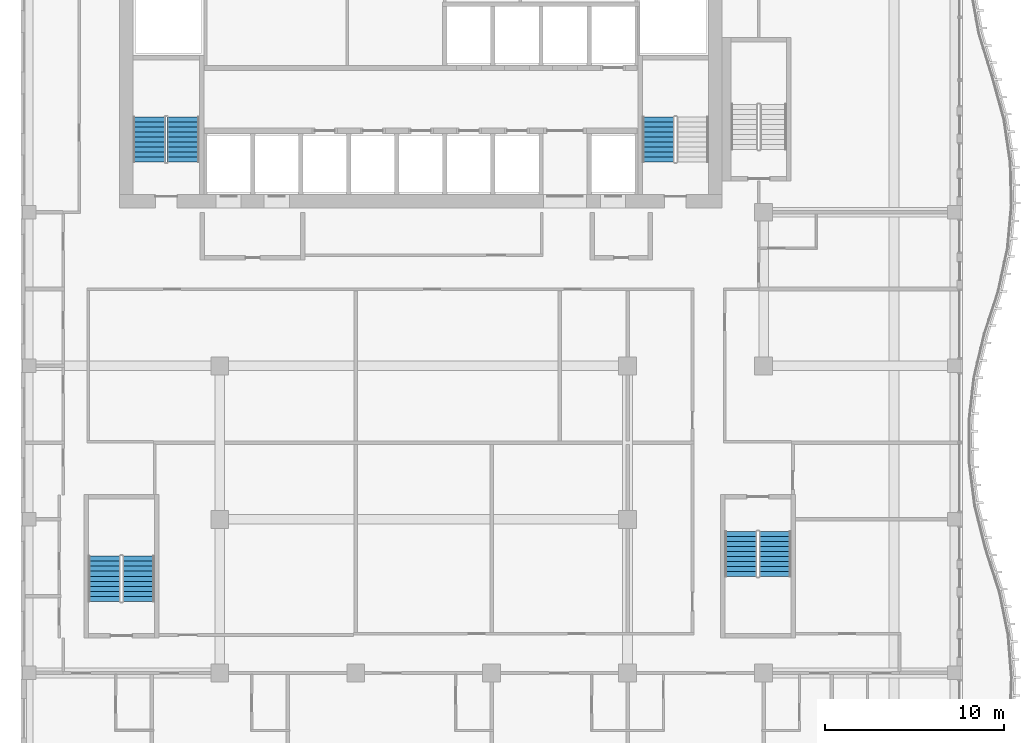
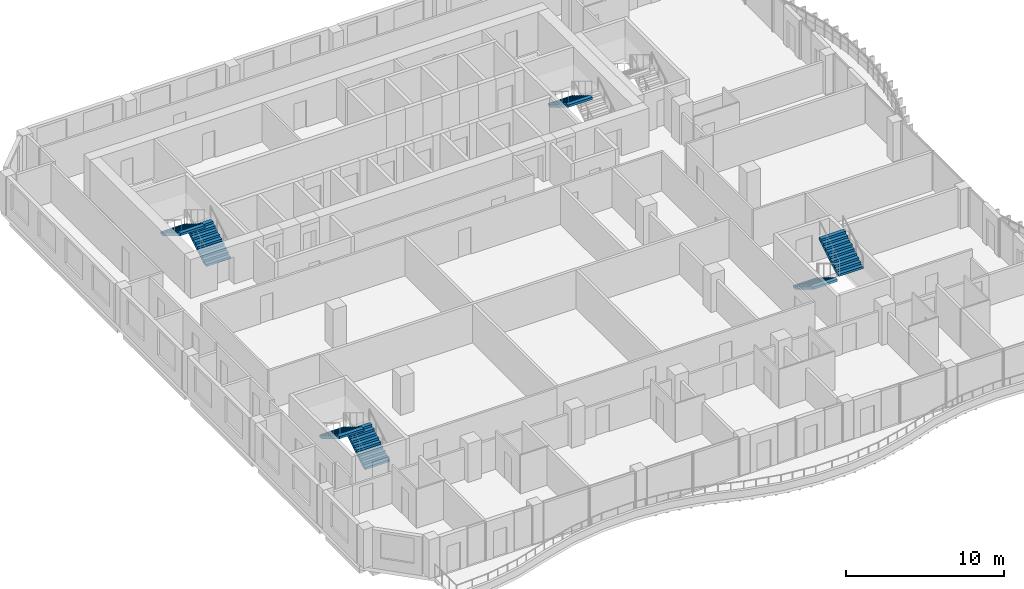
# One storey, part 17 of 22: 7 stair flights, 4 elements without a shape of their own.
"""IFC4 building model written with IfcOpenShell, lengths in metres."""

from ifc_helpers import new_model, si_unit, direction, frame, origin, place, context, subcontext, project, spatial, triangles, source, transform, mapped, material, type_object, element, aggregate, save


model = new_model("IFC4")

# Units and contexts
model_context = context("Model", 3, precision=1e-05, world=origin(), true_north=direction((0.0, 1.0)))
body_context = subcontext(model_context, "Body", "Model", "MODEL_VIEW")
ifc_project = project(units=[si_unit("LENGTHUNIT", "METRE"), si_unit("AREAUNIT", "SQUARE_METRE"), si_unit("VOLUMEUNIT", "CUBIC_METRE"), si_unit("PLANEANGLEUNIT", "RADIAN"), si_unit("MASSUNIT", "GRAM", prefix="KILO")], contexts=[model_context])

# Site, building, storey
site_placement = place(None, origin())
site = spatial("IfcSite", under=ifc_project, at=site_placement, CompositionType="ELEMENT")
building_placement = place(site_placement, origin())
building = spatial("IfcBuilding", under=site, at=building_placement, Name="Kilnfold Tower and Market Hall", CompositionType="ELEMENT")
storey_placement = place(building_placement, frame((0.0, 0.0, 220.300048828125)))
storey = spatial("IfcBuildingStorey", under=building, at=storey_placement, Name="L54", CompositionType="ELEMENT", Elevation=220.300048828125)

# Stair, stair flights
ifc_material_1 = material(Name="Concrete C40/50", Category="concrete")
stair_type = type_object("IfcStairType", Name="CORE STAIR 1800", PredefinedType="HALF_TURN_STAIR", material=ifc_material_1)
stair_1_placement = place(storey_placement, origin())
stair_1 = element("IfcStair", 1, at=stair_1_placement, inside=storey, type_object=stair_type, Name="L54 ST1", PredefinedType="HALF_TURN_STAIR")
ifc_material_2 = material(Name="Concrete C40/50", Category="concrete")
stair_flight_type = type_object("IfcStairFlightType", Name="CORE STAIR FLIGHT 1800", PredefinedType="STRAIGHT", material=ifc_material_2)
shared_shape = source(origin(), body_context, "Body", "Tessellation", [
    triangles([(0.0, 0.89990234375, 0.0), (0.0, 0.78759765625, 0.0), (0.0, 0.675048828125, 0.0), (0.0, 0.5625, 0.0), (0.0, 0.449951171875, 0.0), (0.0, 0.33740234375, 0.0), (0.0, 0.22509765625, 0.0), (0.0, 0.112548828125, 0.0), (0.0, 0.0, 0.0), (0.0, -0.112548828125, 0.0), (0.0, -0.22509765625, 0.0), (0.0, -0.33740234375, 0.0), (0.0, -0.449951171875, 0.0), (0.0, -0.5625, 0.0), (0.0, -0.675048828125, 0.0), (0.0, -0.78759765625, 0.0), (0.0, -0.89990234375, 0.0), (0.0, 0.89990234375, 0.169921875), (0.0, 0.78759765625, 0.169921875), (0.0, 0.675048828125, 0.169921875), (0.0, 0.5625, 0.169921875), (0.0, 0.449951171875, 0.169921875), (0.0, 0.33740234375, 0.169921875), (0.0, 0.22509765625, 0.169921875), (0.0, 0.112548828125, 0.169921875), (0.0, 0.0, 0.169921875), (0.0, -0.112548828125, 0.169921875), (0.0, -0.22509765625, 0.169921875), (0.0, -0.33740234375, 0.169921875), (0.0, -0.449951171875, 0.169921875), (0.0, -0.5625, 0.169921875), (0.0, -0.675048828125, 0.169921875), (0.0, -0.78759765625, 0.169921875), (0.0, -0.89990234375, 0.169921875), (0.280029296875, 0.89990234375, 0.169921875), (0.280029296875, 0.78759765625, 0.169921875), (0.280029296875, 0.675048828125, 0.169921875), (0.280029296875, 0.5625, 0.169921875), (0.280029296875, 0.449951171875, 0.169921875), (0.280029296875, 0.33740234375, 0.169921875), (0.280029296875, 0.22509765625, 0.169921875), (0.280029296875, 0.112548828125, 0.169921875), (0.280029296875, 0.0, 0.169921875), (0.280029296875, -0.112548828125, 0.169921875), (0.280029296875, -0.22509765625, 0.169921875), (0.280029296875, -0.33740234375, 0.169921875), (0.280029296875, -0.449951171875, 0.169921875), (0.280029296875, -0.5625, 0.169921875), (0.280029296875, -0.675048828125, 0.169921875), (0.280029296875, -0.78759765625, 0.169921875), (0.280029296875, -0.89990234375, 0.169921875), (0.280029296875, 0.89990234375, 0.340087890625), (0.280029296875, 0.78759765625, 0.340087890625), (0.280029296875, 0.675048828125, 0.340087890625), (0.280029296875, 0.5625, 0.340087890625), (0.280029296875, 0.449951171875, 0.340087890625), (0.280029296875, 0.33740234375, 0.340087890625), (0.280029296875, 0.22509765625, 0.340087890625), (0.280029296875, 0.112548828125, 0.340087890625), (0.280029296875, 0.0, 0.340087890625), (0.280029296875, -0.112548828125, 0.340087890625), (0.280029296875, -0.22509765625, 0.340087890625), (0.280029296875, -0.33740234375, 0.340087890625), (0.280029296875, -0.449951171875, 0.340087890625), (0.280029296875, -0.5625, 0.340087890625), (0.280029296875, -0.675048828125, 0.340087890625), (0.280029296875, -0.78759765625, 0.340087890625), (0.280029296875, -0.89990234375, 0.340087890625), (0.56005859375, 0.89990234375, 0.340087890625), (0.56005859375, 0.78759765625, 0.340087890625), (0.56005859375, 0.675048828125, 0.340087890625), (0.56005859375, 0.5625, 0.340087890625), (0.56005859375, 0.449951171875, 0.340087890625), (0.56005859375, 0.33740234375, 0.340087890625), (0.56005859375, 0.22509765625, 0.340087890625), (0.56005859375, 0.112548828125, 0.340087890625), (0.56005859375, 0.0, 0.340087890625), (0.56005859375, -0.112548828125, 0.340087890625), (0.56005859375, -0.22509765625, 0.340087890625), (0.56005859375, -0.33740234375, 0.340087890625), (0.56005859375, -0.449951171875, 0.340087890625), (0.56005859375, -0.5625, 0.340087890625), (0.56005859375, -0.675048828125, 0.340087890625), (0.56005859375, -0.78759765625, 0.340087890625), (0.56005859375, -0.89990234375, 0.340087890625), (0.56005859375, 0.89990234375, 0.510009765625), (0.56005859375, 0.78759765625, 0.510009765625), (0.56005859375, 0.675048828125, 0.510009765625), (0.56005859375, 0.5625, 0.510009765625), (0.56005859375, 0.449951171875, 0.510009765625), (0.56005859375, 0.33740234375, 0.510009765625), (0.56005859375, 0.22509765625, 0.510009765625), (0.56005859375, 0.112548828125, 0.510009765625), (0.56005859375, 0.0, 0.510009765625), (0.56005859375, -0.112548828125, 0.510009765625), (0.56005859375, -0.22509765625, 0.510009765625), (0.56005859375, -0.33740234375, 0.510009765625), (0.56005859375, -0.449951171875, 0.510009765625), (0.56005859375, -0.5625, 0.510009765625), (0.56005859375, -0.675048828125, 0.510009765625), (0.56005859375, -0.78759765625, 0.510009765625), (0.56005859375, -0.89990234375, 0.510009765625), (0.840087890625, 0.89990234375, 0.510009765625), (0.840087890625, 0.78759765625, 0.510009765625), (0.840087890625, 0.675048828125, 0.510009765625), (0.840087890625, 0.5625, 0.510009765625), (0.840087890625, 0.449951171875, 0.510009765625), (0.840087890625, 0.33740234375, 0.510009765625), (0.840087890625, 0.22509765625, 0.510009765625), (0.840087890625, 0.112548828125, 0.510009765625), (0.840087890625, 0.0, 0.510009765625), (0.840087890625, -0.112548828125, 0.510009765625), (0.840087890625, -0.22509765625, 0.510009765625), (0.840087890625, -0.33740234375, 0.510009765625), (0.840087890625, -0.449951171875, 0.510009765625), (0.840087890625, -0.5625, 0.510009765625), (0.840087890625, -0.675048828125, 0.510009765625), (0.840087890625, -0.78759765625, 0.510009765625), (0.840087890625, -0.89990234375, 0.510009765625), (0.840087890625, 0.89990234375, 0.679931640625), (0.840087890625, 0.78759765625, 0.679931640625), (0.840087890625, 0.675048828125, 0.679931640625), (0.840087890625, 0.5625, 0.679931640625), (0.840087890625, 0.449951171875, 0.679931640625), (0.840087890625, 0.33740234375, 0.679931640625), (0.840087890625, 0.22509765625, 0.679931640625), (0.840087890625, 0.112548828125, 0.679931640625), (0.840087890625, 0.0, 0.679931640625), (0.840087890625, -0.112548828125, 0.679931640625), (0.840087890625, -0.22509765625, 0.679931640625), (0.840087890625, -0.33740234375, 0.679931640625), (0.840087890625, -0.449951171875, 0.679931640625), (0.840087890625, -0.5625, 0.679931640625), (0.840087890625, -0.675048828125, 0.679931640625), (0.840087890625, -0.78759765625, 0.679931640625), (0.840087890625, -0.89990234375, 0.679931640625), (1.1201171875, 0.89990234375, 0.679931640625), (1.1201171875, 0.78759765625, 0.679931640625), (1.1201171875, 0.675048828125, 0.679931640625), (1.1201171875, 0.5625, 0.679931640625), (1.1201171875, 0.449951171875, 0.679931640625), (1.1201171875, 0.33740234375, 0.679931640625), (1.1201171875, 0.22509765625, 0.679931640625), (1.1201171875, 0.112548828125, 0.679931640625), (1.1201171875, 0.0, 0.679931640625), (1.1201171875, -0.112548828125, 0.679931640625), (1.1201171875, -0.22509765625, 0.679931640625), (1.1201171875, -0.33740234375, 0.679931640625), (1.1201171875, -0.449951171875, 0.679931640625), (1.1201171875, -0.5625, 0.679931640625), (1.1201171875, -0.675048828125, 0.679931640625), (1.1201171875, -0.78759765625, 0.679931640625), (1.1201171875, -0.89990234375, 0.679931640625), (1.1201171875, 0.89990234375, 0.85009765625), (1.1201171875, 0.78759765625, 0.85009765625), (1.1201171875, 0.675048828125, 0.85009765625), (1.1201171875, 0.5625, 0.85009765625), (1.1201171875, 0.449951171875, 0.85009765625), (1.1201171875, 0.33740234375, 0.85009765625), (1.1201171875, 0.22509765625, 0.85009765625), (1.1201171875, 0.112548828125, 0.85009765625), (1.1201171875, 0.0, 0.85009765625), (1.1201171875, -0.112548828125, 0.85009765625), (1.1201171875, -0.22509765625, 0.85009765625), (1.1201171875, -0.33740234375, 0.85009765625), (1.1201171875, -0.449951171875, 0.85009765625), (1.1201171875, -0.5625, 0.85009765625), (1.1201171875, -0.675048828125, 0.85009765625), (1.1201171875, -0.78759765625, 0.85009765625), (1.1201171875, -0.89990234375, 0.85009765625), (1.39990234375, 0.89990234375, 0.85009765625), (1.39990234375, 0.78759765625, 0.85009765625), (1.39990234375, 0.675048828125, 0.85009765625), (1.39990234375, 0.5625, 0.85009765625), (1.39990234375, 0.449951171875, 0.85009765625), (1.39990234375, 0.33740234375, 0.85009765625), (1.39990234375, 0.22509765625, 0.85009765625), (1.39990234375, 0.112548828125, 0.85009765625), (1.39990234375, 0.0, 0.85009765625), (1.39990234375, -0.112548828125, 0.85009765625), (1.39990234375, -0.22509765625, 0.85009765625), (1.39990234375, -0.33740234375, 0.85009765625), (1.39990234375, -0.449951171875, 0.85009765625), (1.39990234375, -0.5625, 0.85009765625), (1.39990234375, -0.675048828125, 0.85009765625), (1.39990234375, -0.78759765625, 0.85009765625), (1.39990234375, -0.89990234375, 0.85009765625), (1.39990234375, 0.89990234375, 1.02001953125), (1.39990234375, 0.78759765625, 1.02001953125), (1.39990234375, 0.675048828125, 1.02001953125), (1.39990234375, 0.5625, 1.02001953125), (1.39990234375, 0.449951171875, 1.02001953125), (1.39990234375, 0.33740234375, 1.02001953125), (1.39990234375, 0.22509765625, 1.02001953125), (1.39990234375, 0.112548828125, 1.02001953125), (1.39990234375, 0.0, 1.02001953125), (1.39990234375, -0.112548828125, 1.02001953125), (1.39990234375, -0.22509765625, 1.02001953125), (1.39990234375, -0.33740234375, 1.02001953125), (1.39990234375, -0.449951171875, 1.02001953125), (1.39990234375, -0.5625, 1.02001953125), (1.39990234375, -0.675048828125, 1.02001953125), (1.39990234375, -0.78759765625, 1.02001953125), (1.39990234375, -0.89990234375, 1.02001953125), (1.679931640625, 0.89990234375, 1.02001953125), (1.679931640625, 0.78759765625, 1.02001953125), (1.679931640625, 0.675048828125, 1.02001953125), (1.679931640625, 0.5625, 1.02001953125), (1.679931640625, 0.449951171875, 1.02001953125), (1.679931640625, 0.33740234375, 1.02001953125), (1.679931640625, 0.22509765625, 1.02001953125), (1.679931640625, 0.112548828125, 1.02001953125), (1.679931640625, 0.0, 1.02001953125), (1.679931640625, -0.112548828125, 1.02001953125), (1.679931640625, -0.22509765625, 1.02001953125), (1.679931640625, -0.33740234375, 1.02001953125), (1.679931640625, -0.449951171875, 1.02001953125), (1.679931640625, -0.5625, 1.02001953125), (1.679931640625, -0.675048828125, 1.02001953125), (1.679931640625, -0.78759765625, 1.02001953125), (1.679931640625, -0.89990234375, 1.02001953125), (1.679931640625, 0.89990234375, 1.18994140625), (1.679931640625, 0.78759765625, 1.18994140625), (1.679931640625, 0.675048828125, 1.18994140625), (1.679931640625, 0.5625, 1.18994140625), (1.679931640625, 0.449951171875, 1.18994140625), (1.679931640625, 0.33740234375, 1.18994140625), (1.679931640625, 0.22509765625, 1.18994140625), (1.679931640625, 0.112548828125, 1.18994140625), (1.679931640625, 0.0, 1.18994140625), (1.679931640625, -0.112548828125, 1.18994140625), (1.679931640625, -0.22509765625, 1.18994140625), (1.679931640625, -0.33740234375, 1.18994140625), (1.679931640625, -0.449951171875, 1.18994140625), (1.679931640625, -0.5625, 1.18994140625), (1.679931640625, -0.675048828125, 1.18994140625), (1.679931640625, -0.78759765625, 1.18994140625), (1.679931640625, -0.89990234375, 1.18994140625), (1.9599609375, 0.89990234375, 1.18994140625), (1.9599609375, 0.78759765625, 1.18994140625), (1.9599609375, 0.675048828125, 1.18994140625), (1.9599609375, 0.5625, 1.18994140625), (1.9599609375, 0.449951171875, 1.18994140625), (1.9599609375, 0.33740234375, 1.18994140625), (1.9599609375, 0.22509765625, 1.18994140625), (1.9599609375, 0.112548828125, 1.18994140625), (1.9599609375, 0.0, 1.18994140625), (1.9599609375, -0.112548828125, 1.18994140625), (1.9599609375, -0.22509765625, 1.18994140625), (1.9599609375, -0.33740234375, 1.18994140625), (1.9599609375, -0.449951171875, 1.18994140625), (1.9599609375, -0.5625, 1.18994140625), (1.9599609375, -0.675048828125, 1.18994140625), (1.9599609375, -0.78759765625, 1.18994140625), (1.9599609375, -0.89990234375, 1.18994140625), (1.9599609375, 0.89990234375, 1.360107421875), (1.9599609375, 0.78759765625, 1.360107421875), (1.9599609375, 0.675048828125, 1.360107421875), (1.9599609375, 0.5625, 1.360107421875), (1.9599609375, 0.449951171875, 1.360107421875), (1.9599609375, 0.33740234375, 1.360107421875), (1.9599609375, 0.22509765625, 1.360107421875), (1.9599609375, 0.112548828125, 1.360107421875), (1.9599609375, 0.0, 1.360107421875), (1.9599609375, -0.112548828125, 1.360107421875), (1.9599609375, -0.22509765625, 1.360107421875), (1.9599609375, -0.33740234375, 1.360107421875), (1.9599609375, -0.449951171875, 1.360107421875), (1.9599609375, -0.5625, 1.360107421875), (1.9599609375, -0.675048828125, 1.360107421875), (1.9599609375, -0.78759765625, 1.360107421875), (1.9599609375, -0.89990234375, 1.360107421875), (2.239990234375, 0.89990234375, 1.360107421875), (2.239990234375, 0.78759765625, 1.360107421875), (2.239990234375, 0.675048828125, 1.360107421875), (2.239990234375, 0.5625, 1.360107421875), (2.239990234375, 0.449951171875, 1.360107421875), (2.239990234375, 0.33740234375, 1.360107421875), (2.239990234375, 0.22509765625, 1.360107421875), (2.239990234375, 0.112548828125, 1.360107421875), (2.239990234375, 0.0, 1.360107421875), (2.239990234375, -0.112548828125, 1.360107421875), (2.239990234375, -0.22509765625, 1.360107421875), (2.239990234375, -0.33740234375, 1.360107421875), (2.239990234375, -0.449951171875, 1.360107421875), (2.239990234375, -0.5625, 1.360107421875), (2.239990234375, -0.675048828125, 1.360107421875), (2.239990234375, -0.78759765625, 1.360107421875), (2.239990234375, -0.89990234375, 1.360107421875), (2.239990234375, 0.89990234375, 1.530029296875), (2.239990234375, 0.78759765625, 1.530029296875), (2.239990234375, 0.675048828125, 1.530029296875), (2.239990234375, 0.5625, 1.530029296875), (2.239990234375, 0.449951171875, 1.530029296875), (2.239990234375, 0.33740234375, 1.530029296875), (2.239990234375, 0.22509765625, 1.530029296875), (2.239990234375, 0.112548828125, 1.530029296875), (2.239990234375, 0.0, 1.530029296875), (2.239990234375, -0.112548828125, 1.530029296875), (2.239990234375, -0.22509765625, 1.530029296875), (2.239990234375, -0.33740234375, 1.530029296875), (2.239990234375, -0.449951171875, 1.530029296875), (2.239990234375, -0.5625, 1.530029296875), (2.239990234375, -0.675048828125, 1.530029296875), (2.239990234375, -0.78759765625, 1.530029296875), (2.239990234375, -0.89990234375, 1.530029296875), (2.52001953125, 0.89990234375, 1.530029296875), (2.52001953125, 0.78759765625, 1.530029296875), (2.52001953125, 0.675048828125, 1.530029296875), (2.52001953125, 0.5625, 1.530029296875), (2.52001953125, 0.449951171875, 1.530029296875), (2.52001953125, 0.33740234375, 1.530029296875), (2.52001953125, 0.22509765625, 1.530029296875), (2.52001953125, 0.112548828125, 1.530029296875), (2.52001953125, 0.0, 1.530029296875), (2.52001953125, -0.112548828125, 1.530029296875), (2.52001953125, -0.22509765625, 1.530029296875), (2.52001953125, -0.33740234375, 1.530029296875), (2.52001953125, -0.449951171875, 1.530029296875), (2.52001953125, -0.5625, 1.530029296875), (2.52001953125, -0.675048828125, 1.530029296875), (2.52001953125, -0.78759765625, 1.530029296875), (2.52001953125, -0.89990234375, 1.530029296875), (2.52001953125, 0.89990234375, 1.354736328125), (2.52001953125, 0.78759765625, 1.354736328125), (2.52001953125, 0.675048828125, 1.354736328125), (2.52001953125, 0.5625, 1.354736328125), (2.52001953125, 0.449951171875, 1.354736328125), (2.52001953125, 0.33740234375, 1.354736328125), (2.52001953125, 0.22509765625, 1.354736328125), (2.52001953125, 0.112548828125, 1.354736328125), (2.52001953125, 0.0, 1.354736328125), (2.52001953125, -0.112548828125, 1.354736328125), (2.52001953125, -0.22509765625, 1.354736328125), (2.52001953125, -0.33740234375, 1.354736328125), (2.52001953125, -0.449951171875, 1.354736328125), (2.52001953125, -0.5625, 1.354736328125), (2.52001953125, -0.675048828125, 1.354736328125), (2.52001953125, -0.78759765625, 1.354736328125), (2.52001953125, -0.89990234375, 1.354736328125), (0.288818359375, 0.89990234375, 0.0), (0.288818359375, 0.78759765625, 0.0), (0.288818359375, 0.675048828125, 0.0), (0.288818359375, 0.5625, 0.0), (0.288818359375, 0.449951171875, 0.0), (0.288818359375, 0.33740234375, 0.0), (0.288818359375, 0.22509765625, 0.0), (0.288818359375, 0.112548828125, 0.0), (0.288818359375, 0.0, 0.0), (0.288818359375, -0.112548828125, 0.0), (0.288818359375, -0.22509765625, 0.0), (0.288818359375, -0.33740234375, 0.0), (0.288818359375, -0.449951171875, 0.0), (0.288818359375, -0.5625, 0.0), (0.288818359375, -0.675048828125, 0.0), (0.288818359375, -0.78759765625, 0.0), (0.288818359375, -0.89990234375, 0.0)], [[1, 324, 341], [17, 357, 340], [324, 290, 307], [340, 323, 306], [324, 273, 290], [340, 306, 289], [324, 256, 273], [340, 289, 272], [324, 239, 256], [340, 272, 255], [239, 205, 222], [255, 238, 221], [324, 205, 239], [340, 255, 221], [205, 171, 188], [221, 204, 187], [324, 171, 205], [340, 221, 187], [171, 137, 154], [187, 170, 153], [324, 137, 171], [340, 187, 153], [137, 103, 120], [153, 136, 119], [324, 103, 137], [340, 153, 119], [103, 69, 86], [119, 102, 85], [324, 69, 103], [340, 119, 85], [69, 35, 52], [85, 68, 51], [324, 35, 69], [340, 85, 51], [1, 35, 324], [17, 340, 51], [35, 1, 18], [51, 34, 17], [1, 19, 18], [1, 2, 19], [2, 20, 19], [2, 3, 20], [3, 21, 20], [3, 4, 21], [4, 22, 21], [4, 5, 22], [5, 23, 22], [5, 6, 23], [6, 24, 23], [6, 7, 24], [7, 25, 24], [7, 8, 25], [8, 26, 25], [8, 9, 26], [9, 27, 26], [9, 10, 27], [10, 28, 27], [10, 11, 28], [11, 29, 28], [11, 12, 29], [12, 30, 29], [12, 13, 30], [13, 31, 30], [13, 14, 31], [14, 32, 31], [14, 15, 32], [15, 33, 32], [15, 16, 33], [16, 34, 33], [16, 17, 34], [18, 36, 35], [18, 19, 36], [19, 37, 36], [19, 20, 37], [20, 38, 37], [20, 21, 38], [21, 39, 38], [21, 22, 39], [22, 40, 39], [22, 23, 40], [23, 41, 40], [23, 24, 41], [24, 42, 41], [24, 25, 42], [25, 43, 42], [25, 26, 43], [26, 44, 43], [26, 27, 44], [27, 45, 44], [27, 28, 45], [28, 46, 45], [28, 29, 46], [29, 47, 46], [29, 30, 47], [30, 48, 47], [30, 31, 48], [31, 49, 48], [31, 32, 49], [32, 50, 49], [32, 33, 50], [33, 51, 50], [33, 34, 51], [35, 53, 52], [35, 36, 53], [36, 54, 53], [36, 37, 54], [37, 55, 54], [37, 38, 55], [38, 56, 55], [38, 39, 56], [39, 57, 56], [39, 40, 57], [40, 58, 57], [40, 41, 58], [41, 59, 58], [41, 42, 59], [42, 60, 59], [42, 43, 60], [43, 61, 60], [43, 44, 61], [44, 62, 61], [44, 45, 62], [45, 63, 62], [45, 46, 63], [46, 64, 63], [46, 47, 64], [47, 65, 64], [47, 48, 65], [48, 66, 65], [48, 49, 66], [49, 67, 66], [49, 50, 67], [50, 68, 67], [50, 51, 68], [52, 70, 69], [52, 53, 70], [53, 71, 70], [53, 54, 71], [54, 72, 71], [54, 55, 72], [55, 73, 72], [55, 56, 73], [56, 74, 73], [56, 57, 74], [57, 75, 74], [57, 58, 75], [58, 76, 75], [58, 59, 76], [59, 77, 76], [59, 60, 77], [60, 78, 77], [60, 61, 78], [61, 79, 78], [61, 62, 79], [62, 80, 79], [62, 63, 80], [63, 81, 80], [63, 64, 81], [64, 82, 81], [64, 65, 82], [65, 83, 82], [65, 66, 83], [66, 84, 83], [66, 67, 84], [67, 85, 84], [67, 68, 85], [69, 87, 86], [69, 70, 87], [70, 88, 87], [70, 71, 88], [71, 89, 88], [71, 72, 89], [72, 90, 89], [72, 73, 90], [73, 91, 90], [73, 74, 91], [74, 92, 91], [74, 75, 92], [75, 93, 92], [75, 76, 93], [76, 94, 93], [76, 77, 94], [77, 95, 94], [77, 78, 95], [78, 96, 95], [78, 79, 96], [79, 97, 96], [79, 80, 97], [80, 98, 97], [80, 81, 98], [81, 99, 98], [81, 82, 99], [82, 100, 99], [82, 83, 100], [83, 101, 100], [83, 84, 101], [84, 102, 101], [84, 85, 102], [86, 104, 103], [86, 87, 104], [87, 105, 104], [87, 88, 105], [88, 106, 105], [88, 89, 106], [89, 107, 106], [89, 90, 107], [90, 108, 107], [90, 91, 108], [91, 109, 108], [91, 92, 109], [92, 110, 109], [92, 93, 110], [93, 111, 110], [93, 94, 111], [94, 112, 111], [94, 95, 112], [95, 113, 112], [95, 96, 113], [96, 114, 113], [96, 97, 114], [97, 115, 114], [97, 98, 115], [98, 116, 115], [98, 99, 116], [99, 117, 116], [99, 100, 117], [100, 118, 117], [100, 101, 118], [101, 119, 118], [101, 102, 119], [103, 121, 120], [103, 104, 121], [104, 122, 121], [104, 105, 122], [105, 123, 122], [105, 106, 123], [106, 124, 123], [106, 107, 124], [107, 125, 124], [107, 108, 125], [108, 126, 125], [108, 109, 126], [109, 127, 126], [109, 110, 127], [110, 128, 127], [110, 111, 128], [111, 129, 128], [111, 112, 129], [112, 130, 129], [112, 113, 130], [113, 131, 130], [113, 114, 131], [114, 132, 131], [114, 115, 132], [115, 133, 132], [115, 116, 133], [116, 134, 133], [116, 117, 134], [117, 135, 134], [117, 118, 135], [118, 136, 135], [118, 119, 136], [120, 138, 137], [120, 121, 138], [121, 139, 138], [121, 122, 139], [122, 140, 139], [122, 123, 140], [123, 141, 140], [123, 124, 141], [124, 142, 141], [124, 125, 142], [125, 143, 142], [125, 126, 143], [126, 144, 143], [126, 127, 144], [127, 145, 144], [127, 128, 145], [128, 146, 145], [128, 129, 146], [129, 147, 146], [129, 130, 147], [130, 148, 147], [130, 131, 148], [131, 149, 148], [131, 132, 149], [132, 150, 149], [132, 133, 150], [133, 151, 150], [133, 134, 151], [134, 152, 151], [134, 135, 152], [135, 153, 152], [135, 136, 153], [137, 155, 154], [137, 138, 155], [138, 156, 155], [138, 139, 156], [139, 157, 156], [139, 140, 157], [140, 158, 157], [140, 141, 158], [141, 159, 158], [141, 142, 159], [142, 160, 159], [142, 143, 160], [143, 161, 160], [143, 144, 161], [144, 162, 161], [144, 145, 162], [145, 163, 162], [145, 146, 163], [146, 164, 163], [146, 147, 164], [147, 165, 164], [147, 148, 165], [148, 166, 165], [148, 149, 166], [149, 167, 166], [149, 150, 167], [150, 168, 167], [150, 151, 168], [151, 169, 168], [151, 152, 169], [152, 170, 169], [152, 153, 170], [154, 172, 171], [154, 155, 172], [155, 173, 172], [155, 156, 173], [156, 174, 173], [156, 157, 174], [157, 175, 174], [157, 158, 175], [158, 176, 175], [158, 159, 176], [159, 177, 176], [159, 160, 177], [160, 178, 177], [160, 161, 178], [161, 179, 178], [161, 162, 179], [162, 180, 179], [162, 163, 180], [163, 181, 180], [163, 164, 181], [164, 182, 181], [164, 165, 182], [165, 183, 182], [165, 166, 183], [166, 184, 183], [166, 167, 184], [167, 185, 184], [167, 168, 185], [168, 186, 185], [168, 169, 186], [169, 187, 186], [169, 170, 187], [171, 189, 188], [171, 172, 189], [172, 190, 189], [172, 173, 190], [173, 191, 190], [173, 174, 191], [174, 192, 191], [174, 175, 192], [175, 193, 192], [175, 176, 193], [176, 194, 193], [176, 177, 194], [177, 195, 194], [177, 178, 195], [178, 196, 195], [178, 179, 196], [179, 197, 196], [179, 180, 197], [180, 198, 197], [180, 181, 198], [181, 199, 198], [181, 182, 199], [182, 200, 199], [182, 183, 200], [183, 201, 200], [183, 184, 201], [184, 202, 201], [184, 185, 202], [185, 203, 202], [185, 186, 203], [186, 204, 203], [186, 187, 204], [188, 206, 205], [188, 189, 206], [189, 207, 206], [189, 190, 207], [190, 208, 207], [190, 191, 208], [191, 209, 208], [191, 192, 209], [192, 210, 209], [192, 193, 210], [193, 211, 210], [193, 194, 211], [194, 212, 211], [194, 195, 212], [195, 213, 212], [195, 196, 213], [196, 214, 213], [196, 197, 214], [197, 215, 214], [197, 198, 215], [198, 216, 215], [198, 199, 216], [199, 217, 216], [199, 200, 217], [200, 218, 217], [200, 201, 218], [201, 219, 218], [201, 202, 219], [202, 220, 219], [202, 203, 220], [203, 221, 220], [203, 204, 221], [205, 223, 222], [205, 206, 223], [206, 224, 223], [206, 207, 224], [207, 225, 224], [207, 208, 225], [208, 226, 225], [208, 209, 226], [209, 227, 226], [209, 210, 227], [210, 228, 227], [210, 211, 228], [211, 229, 228], [211, 212, 229], [212, 230, 229], [212, 213, 230], [213, 231, 230], [213, 214, 231], [214, 232, 231], [214, 215, 232], [215, 233, 232], [215, 216, 233], [216, 234, 233], [216, 217, 234], [217, 235, 234], [217, 218, 235], [218, 236, 235], [218, 219, 236], [219, 237, 236], [219, 220, 237], [220, 238, 237], [220, 221, 238], [222, 240, 239], [222, 223, 240], [223, 241, 240], [223, 224, 241], [224, 242, 241], [224, 225, 242], [225, 243, 242], [225, 226, 243], [226, 244, 243], [226, 227, 244], [227, 245, 244], [227, 228, 245], [228, 246, 245], [228, 229, 246], [229, 247, 246], [229, 230, 247], [230, 248, 247], [230, 231, 248], [231, 249, 248], [231, 232, 249], [232, 250, 249], [232, 233, 250], [233, 251, 250], [233, 234, 251], [234, 252, 251], [234, 235, 252], [235, 253, 252], [235, 236, 253], [236, 254, 253], [236, 237, 254], [237, 255, 254], [237, 238, 255], [239, 257, 256], [239, 240, 257], [240, 258, 257], [240, 241, 258], [241, 259, 258], [241, 242, 259], [242, 260, 259], [242, 243, 260], [243, 261, 260], [243, 244, 261], [244, 262, 261], [244, 245, 262], [245, 263, 262], [245, 246, 263], [246, 264, 263], [246, 247, 264], [247, 265, 264], [247, 248, 265], [248, 266, 265], [248, 249, 266], [249, 267, 266], [249, 250, 267], [250, 268, 267], [250, 251, 268], [251, 269, 268], [251, 252, 269], [252, 270, 269], [252, 253, 270], [253, 271, 270], [253, 254, 271], [254, 272, 271], [254, 255, 272], [256, 274, 273], [256, 257, 274], [257, 275, 274], [257, 258, 275], [258, 276, 275], [258, 259, 276], [259, 277, 276], [259, 260, 277], [260, 278, 277], [260, 261, 278], [261, 279, 278], [261, 262, 279], [262, 280, 279], [262, 263, 280], [263, 281, 280], [263, 264, 281], [264, 282, 281], [264, 265, 282], [265, 283, 282], [265, 266, 283], [266, 284, 283], [266, 267, 284], [267, 285, 284], [267, 268, 285], [268, 286, 285], [268, 269, 286], [269, 287, 286], [269, 270, 287], [270, 288, 287], [270, 271, 288], [271, 289, 288], [271, 272, 289], [273, 291, 290], [273, 274, 291], [274, 292, 291], [274, 275, 292], [275, 293, 292], [275, 276, 293], [276, 294, 293], [276, 277, 294], [277, 295, 294], [277, 278, 295], [278, 296, 295], [278, 279, 296], [279, 297, 296], [279, 280, 297], [280, 298, 297], [280, 281, 298], [281, 299, 298], [281, 282, 299], [282, 300, 299], [282, 283, 300], [283, 301, 300], [283, 284, 301], [284, 302, 301], [284, 285, 302], [285, 303, 302], [285, 286, 303], [286, 304, 303], [286, 287, 304], [287, 305, 304], [287, 288, 305], [288, 306, 305], [288, 289, 306], [290, 308, 307], [290, 291, 308], [291, 309, 308], [291, 292, 309], [292, 310, 309], [292, 293, 310], [293, 311, 310], [293, 294, 311], [294, 312, 311], [294, 295, 312], [295, 313, 312], [295, 296, 313], [296, 314, 313], [296, 297, 314], [297, 315, 314], [297, 298, 315], [298, 316, 315], [298, 299, 316], [299, 317, 316], [299, 300, 317], [300, 318, 317], [300, 301, 318], [301, 319, 318], [301, 302, 319], [302, 320, 319], [302, 303, 320], [303, 321, 320], [303, 304, 321], [304, 322, 321], [304, 305, 322], [305, 323, 322], [305, 306, 323], [307, 325, 324], [307, 308, 325], [308, 326, 325], [308, 309, 326], [309, 327, 326], [309, 310, 327], [310, 328, 327], [310, 311, 328], [311, 329, 328], [311, 312, 329], [312, 330, 329], [312, 313, 330], [313, 331, 330], [313, 314, 331], [314, 332, 331], [314, 315, 332], [315, 333, 332], [315, 316, 333], [316, 334, 333], [316, 317, 334], [317, 335, 334], [317, 318, 335], [318, 336, 335], [318, 319, 336], [319, 337, 336], [319, 320, 337], [320, 338, 337], [320, 321, 338], [321, 339, 338], [321, 322, 339], [322, 340, 339], [322, 323, 340], [324, 342, 341], [324, 325, 342], [325, 343, 342], [325, 326, 343], [326, 344, 343], [326, 327, 344], [327, 345, 344], [327, 328, 345], [328, 346, 345], [328, 329, 346], [329, 347, 346], [329, 330, 347], [330, 348, 347], [330, 331, 348], [331, 349, 348], [331, 332, 349], [332, 350, 349], [332, 333, 350], [333, 351, 350], [333, 334, 351], [334, 352, 351], [334, 335, 352], [335, 353, 352], [335, 336, 353], [336, 354, 353], [336, 337, 354], [337, 355, 354], [337, 338, 355], [338, 356, 355], [338, 339, 356], [339, 357, 356], [339, 340, 357], [341, 2, 1], [341, 342, 2], [342, 3, 2], [342, 343, 3], [343, 4, 3], [343, 344, 4], [344, 5, 4], [344, 345, 5], [345, 6, 5], [345, 346, 6], [346, 7, 6], [346, 347, 7], [347, 8, 7], [347, 348, 8], [348, 9, 8], [348, 349, 9], [349, 10, 9], [349, 350, 10], [350, 11, 10], [350, 351, 11], [351, 12, 11], [351, 352, 12], [352, 13, 12], [352, 353, 13], [353, 14, 13], [353, 354, 14], [354, 15, 14], [354, 355, 15], [355, 16, 15], [355, 356, 16], [356, 17, 16], [356, 357, 17]], closed=True),
])
stair_flight_1_placement = place(storey_placement, frame((-12.199951171875, 10.800048828125, 0.0), z_axis=(0.0, 0.0, 1.0), x_axis=(0.0, 1.0, 0.0)))
stair_flight_1 = element("IfcStairFlight", 2, at=stair_flight_1_placement, type_object=stair_flight_type, Name="ST1 flight 1", NumberOfRisers=10, NumberOfTreads=9, PredefinedType="STRAIGHT", RiserHeight=0.17, TreadLength=0.28, context=body_context, shape_type="MappedRepresentation", body=[
    mapped(shared_shape, transform((0.0, 0.0, 0.0))),
])
stair_flight_2_placement = place(storey_placement, frame((-14.10009765625, 13.320068359375, 1.699951171875), z_axis=(0.0, 0.0, 1.0), x_axis=(0.0, -1.0, 0.0)))
stair_flight_2 = element("IfcStairFlight", 3, at=stair_flight_2_placement, type_object=stair_flight_type, Name="ST1 flight 2", NumberOfRisers=10, NumberOfTreads=9, PredefinedType="STRAIGHT", RiserHeight=0.17, TreadLength=0.28, context=body_context, shape_type="MappedRepresentation", body=[
    mapped(shared_shape, transform((0.0, 0.0, 0.0))),
])
aggregate(stair_1, [stair_flight_1, stair_flight_2])

# Stair, stair flight
stair_2_placement = place(storey_placement, origin())
stair_2 = element("IfcStair", 4, at=stair_2_placement, inside=storey, type_object=stair_type, Name="L54 ST2", PredefinedType="HALF_TURN_STAIR")
stair_flight_3_placement = place(storey_placement, frame((14.300048828125, 13.320068359375, 1.699951171875), z_axis=(0.0, 0.0, 1.0), x_axis=(0.0, -1.0, 0.0)))
stair_flight_3 = element("IfcStairFlight", 5, at=stair_flight_3_placement, type_object=stair_flight_type, Name="ST2 flight 2", NumberOfRisers=10, NumberOfTreads=9, PredefinedType="STRAIGHT", RiserHeight=0.17, TreadLength=0.28, context=body_context, shape_type="MappedRepresentation", body=[
    mapped(shared_shape, transform((0.0, 0.0, 0.0))),
])
aggregate(stair_2, [stair_flight_3])

# Stair, stair flights
stair_3_placement = place(storey_placement, origin())
stair_3 = element("IfcStair", 6, at=stair_3_placement, inside=storey, type_object=stair_type, Name="L54 ST3", PredefinedType="HALF_TURN_STAIR")
stair_flight_4_placement = place(storey_placement, frame((-14.699951171875, -13.699951171875, 0.0), z_axis=(0.0, 0.0, 1.0), x_axis=(0.0, 1.0, 0.0)))
stair_flight_4 = element("IfcStairFlight", 7, at=stair_flight_4_placement, type_object=stair_flight_type, Name="ST3 flight 1", NumberOfRisers=10, NumberOfTreads=9, PredefinedType="STRAIGHT", RiserHeight=0.17, TreadLength=0.28, context=body_context, shape_type="MappedRepresentation", body=[
    mapped(shared_shape, transform((0.0, 0.0, 0.0))),
])
stair_flight_5_placement = place(storey_placement, frame((-16.60009765625, -11.179931640625, 1.699951171875), z_axis=(0.0, 0.0, 1.0), x_axis=(0.0, -1.0, 0.0)))
stair_flight_5 = element("IfcStairFlight", 8, at=stair_flight_5_placement, type_object=stair_flight_type, Name="ST3 flight 2", NumberOfRisers=10, NumberOfTreads=9, PredefinedType="STRAIGHT", RiserHeight=0.17, TreadLength=0.28, context=body_context, shape_type="MappedRepresentation", body=[
    mapped(shared_shape, transform((0.0, 0.0, 0.0))),
])
aggregate(stair_3, [stair_flight_4, stair_flight_5])

stair_4_placement = place(storey_placement, origin())
stair_4 = element("IfcStair", 9, at=stair_4_placement, inside=storey, type_object=stair_type, Name="L54 ST4", PredefinedType="HALF_TURN_STAIR")
stair_flight_6_placement = place(storey_placement, frame((18.89990234375, -9.800048828125, 0.0), z_axis=(0.0, 0.0, 1.0), x_axis=(0.0, -1.0, 0.0)))
stair_flight_6 = element("IfcStairFlight", 10, at=stair_flight_6_placement, type_object=stair_flight_type, Name="ST4 flight 1", NumberOfRisers=10, NumberOfTreads=9, PredefinedType="STRAIGHT", RiserHeight=0.17, TreadLength=0.28, context=body_context, shape_type="MappedRepresentation", body=[
    mapped(shared_shape, transform((0.0, 0.0, 0.0))),
])
stair_flight_7_placement = place(storey_placement, frame((20.800048828125, -12.320068359375, 1.699951171875), z_axis=(0.0, 0.0, 1.0), x_axis=(0.0, 1.0, 0.0)))
stair_flight_7 = element("IfcStairFlight", 11, at=stair_flight_7_placement, type_object=stair_flight_type, Name="ST4 flight 2", NumberOfRisers=10, NumberOfTreads=9, PredefinedType="STRAIGHT", RiserHeight=0.17, TreadLength=0.28, context=body_context, shape_type="MappedRepresentation", body=[
    mapped(shared_shape, transform((0.0, 0.0, 0.0))),
])
aggregate(stair_4, [stair_flight_6, stair_flight_7])

save(model, "model.ifc")
